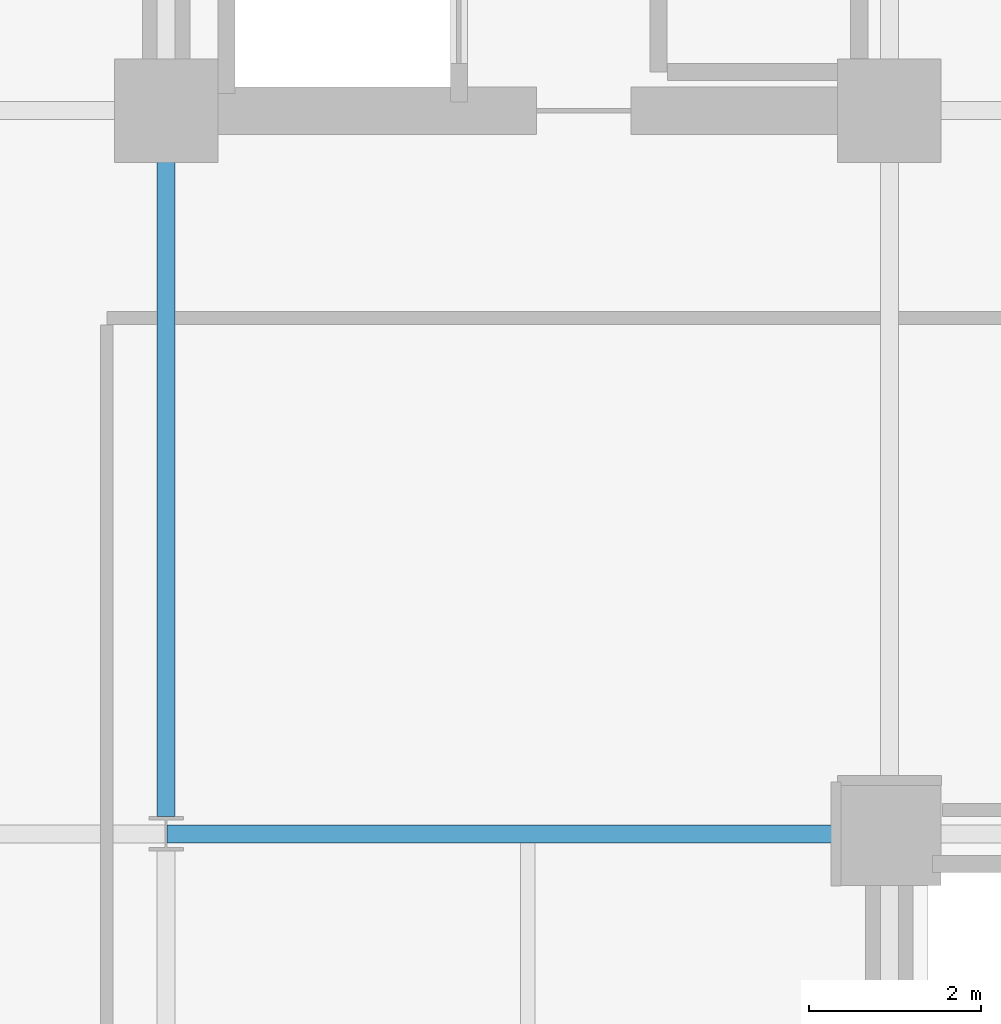
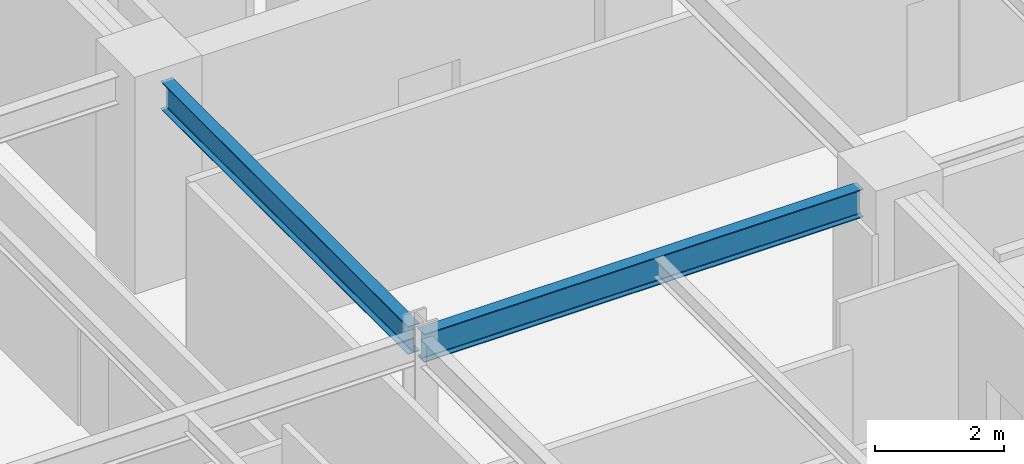
# One storey, part 9 of 29: 2 beams.
"""IFC4 building model written with IfcOpenShell, lengths in metres."""

from ifc_helpers import new_model, si_unit, direction, frame, origin, origin_2d, place, context, subcontext, project, spatial, i_section, extrude, material, material_profile, profile_set, type_object, element, save


model = new_model("IFC4")

# Units and contexts
model_context = context("Model", 3, precision=1e-05, world=origin(), true_north=direction((0.0, 1.0)))
body_context = subcontext(model_context, "Body", "Model", "MODEL_VIEW")
ifc_project = project(units=[si_unit("LENGTHUNIT", "METRE"), si_unit("AREAUNIT", "SQUARE_METRE"), si_unit("VOLUMEUNIT", "CUBIC_METRE"), si_unit("PLANEANGLEUNIT", "RADIAN"), si_unit("MASSUNIT", "GRAM", prefix="KILO")], contexts=[model_context])

# Site, building, storey
site_placement = place(None, origin())
site = spatial("IfcSite", under=ifc_project, at=site_placement, CompositionType="ELEMENT")
building_placement = place(site_placement, origin())
building = spatial("IfcBuilding", under=site, at=building_placement, Name="Nerrivon Quay Data Exchange", CompositionType="ELEMENT")
storey_placement = place(building_placement, frame((0.0, 0.0, 137.699951171875)))
storey = spatial("IfcBuildingStorey", under=building, at=storey_placement, Name="L32", CompositionType="ELEMENT", Elevation=137.699951171875)

# Beams
ifc_material = material(Name="Steel Grade 350", Category="steel")
ifc_material_profile_1 = material_profile(ifc_material, i_section(OverallWidth=0.208984375, OverallDepth=0.532958984375, WebThickness=0.01025390625, FlangeThickness=0.015625, FilletRadius=0.013916015625, at=origin_2d()), Name="530UB92.4")
ifc_profile_set_1 = profile_set([ifc_material_profile_1], Name="Steel Grade 350")
beam_type_1 = type_object("IfcBeamType", Name="BM-G3-530UB92", PredefinedType="BEAM", material=ifc_profile_set_1)
beam_1_placement = place(storey_placement, frame((8.41259765625, 16.800048828125, 3.55859375), z_axis=(1.0, 0.0, 0.0), x_axis=(0.0, 1.0, 0.0)))
element("IfcBeam", 1, at=beam_1_placement, inside=storey, type_object=beam_type_1, Name="L32 EW Girder Y=16.8 (8.4..16.8)", PredefinedType="BEAM", context=body_context, shape_type="SweptSolid", body=[
    extrude(i_section(OverallWidth=0.208984375, OverallDepth=0.532958984375, WebThickness=0.01025390625, FlangeThickness=0.015625, FilletRadius=0.013916015625, at=origin_2d()), origin(), (0.0, 0.0, 1.0), 7.847412109375),
])
ifc_material_profile_2 = material_profile(ifc_material, i_section(OverallWidth=0.208984375, OverallDepth=0.528076171875, WebThickness=0.009521484375, FlangeThickness=0.01318359375, FilletRadius=0.013916015625, at=origin_2d()), Name="530UB82.0")
ifc_profile_set_2 = profile_set([ifc_material_profile_2], Name="Steel Grade 350")
beam_type_2 = type_object("IfcBeamType", Name="BM-G4-530UB82", PredefinedType="BEAM", material=ifc_profile_set_2)
beam_2_placement = place(storey_placement, frame((8.39990234375, 17.0, 3.56103515625), z_axis=(0.0, 1.0, 0.0), x_axis=(-1.0, 0.0, 0.0)))
element("IfcBeam", 2, at=beam_2_placement, inside=storey, type_object=beam_type_2, Name="L32 NS Girder X=8.4 (16.8..25.2)", PredefinedType="BEAM", context=body_context, shape_type="SweptSolid", body=[
    extrude(i_section(OverallWidth=0.208984375, OverallDepth=0.528076171875, WebThickness=0.009521484375, FlangeThickness=0.01318359375, FilletRadius=0.013916015625, at=origin_2d()), origin(), (0.0, 0.0, 1.0), 7.659912109375),
])

save(model, "model.ifc")
